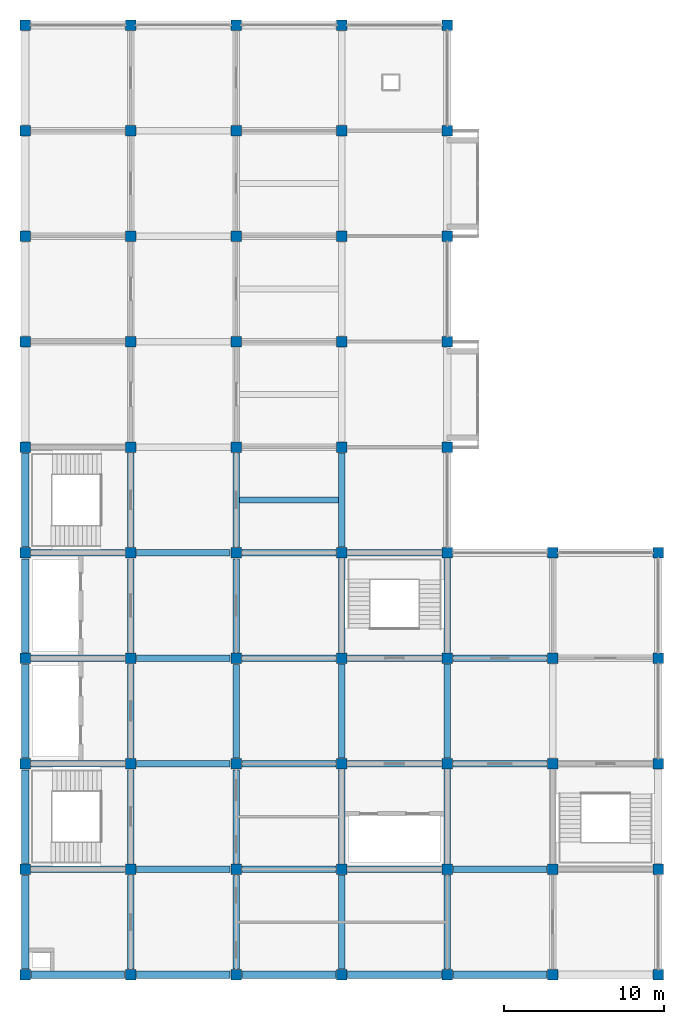
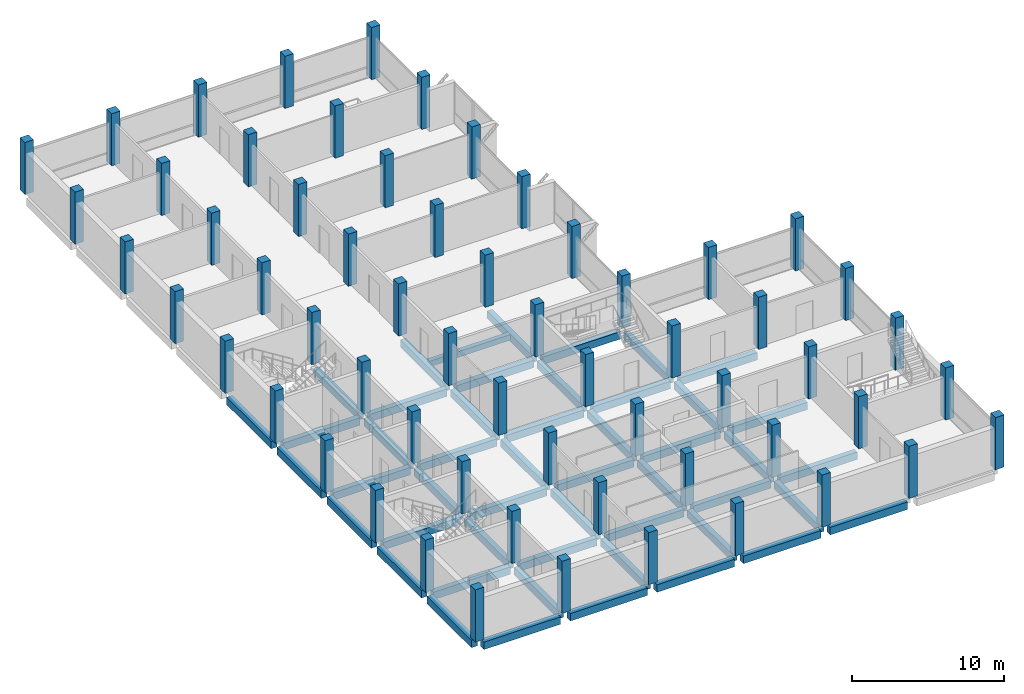
# One storey, part 1 of 10: 60 columns, 49 beams.
"""IFC4 building model written with IfcOpenShell, lengths in metres."""

from ifc_helpers import new_model, si_unit, direction, frame, origin, origin_2d, place, context, subcontext, project, spatial, rectangle, extrude, material, material_profile, profile_set, type_object, element, save


model = new_model("IFC4")

# Units and contexts
model_context = context("Model", 3, precision=1e-05, world=origin(), true_north=direction((0.0, 1.0)))
body_context = subcontext(model_context, "Body", "Model", "MODEL_VIEW")
ifc_project = project(units=[si_unit("LENGTHUNIT", "METRE"), si_unit("AREAUNIT", "SQUARE_METRE"), si_unit("VOLUMEUNIT", "CUBIC_METRE"), si_unit("PLANEANGLEUNIT", "RADIAN"), si_unit("MASSUNIT", "GRAM", prefix="KILO")], contexts=[model_context])

# Site, building, storey
site_placement = place(None, origin())
site = spatial("IfcSite", under=ifc_project, at=site_placement, CompositionType="ELEMENT")
building_placement = place(site_placement, origin())
building = spatial("IfcBuilding", under=site, at=building_placement, Name="Rusizi Kubbe Research Institute", CompositionType="ELEMENT")
storey_placement = place(building_placement, frame((0.0, 0.0, 52.199951171875)))
storey = spatial("IfcBuildingStorey", under=building, at=storey_placement, Name="L12", CompositionType="ELEMENT", Elevation=52.199951171875)

# Columns
ifc_material_1 = material(Name="Concrete C40/50", Category="concrete")
ifc_material_profile_1 = material_profile(ifc_material_1, rectangle(XDim=0.64990234375, YDim=0.64990234375, at=origin_2d()), Name="RC650x650")
ifc_profile_set_1 = profile_set([ifc_material_profile_1], Name="Concrete C40/50")
column_type = type_object("IfcColumnType", Name="COL-650", PredefinedType="COLUMN", material=ifc_profile_set_1)
for number, where, z_axis, x_axis, name in (
    (1, (0.0, 0.0, 0.0), (0.0, 0.0, 1.0), (1.0, 0.0, 0.0), "Column 1A L12"),
    (2, (0.0, 6.60009765625, 0.0), (0.0, 0.0, 1.0), (1.0, 0.0, 0.0), "Column 1B L12"),
    (3, (0.0, 13.199951171875, 0.0), (0.0, 0.0, 1.0), (1.0, 0.0, 0.0), "Column 1C L12"),
    (4, (0.0, 19.800048828125, 0.0), (0.0, 0.0, 1.0), (1.0, 0.0, 0.0), "Column 1D L12"),
    (5, (0.0, 26.39990234375, 0.0), (0.0, 0.0, 1.0), (1.0, 0.0, 0.0), "Column 1E L12"),
    (6, (0.0, 33.0, 0.0), (0.0, 0.0, 1.0), (1.0, 0.0, 0.0), "Column 1F L12"),
    (7, (0.0, 39.60009765625, 0.0), (0.0, 0.0, 1.0), (1.0, 0.0, 0.0), "Column 1G L12"),
    (8, (0.0, 46.199951171875, 0.0), (0.0, 0.0, 1.0), (1.0, 0.0, 0.0), "Column 1H L12"),
    (9, (0.0, 52.800048828125, 0.0), (0.0, 0.0, 1.0), (1.0, 0.0, 0.0), "Column 1J L12"),
    (10, (0.0, 59.39990234375, 0.0), (0.0, 0.0, 1.0), (1.0, 0.0, 0.0), "Column 1K L12"),
    (11, (6.60009765625, 0.0, 0.0), (0.0, 0.0, 1.0), (1.0, 0.0, 0.0), "Column 2A L12"),
    (12, (6.60009765625, 6.60009765625, 0.0), (0.0, 0.0, 1.0), (1.0, 0.0, 0.0), "Column 2B L12"),
    (13, (6.60009765625, 13.199951171875, 0.0), (0.0, 0.0, 1.0), (1.0, 0.0, 0.0), "Column 2C L12"),
    (14, (6.60009765625, 19.800048828125, 0.0), (0.0, 0.0, 1.0), (1.0, 0.0, 0.0), "Column 2D L12"),
    (15, (6.60009765625, 26.39990234375, 0.0), (0.0, 0.0, 1.0), (1.0, 0.0, 0.0), "Column 2E L12"),
    (16, (6.60009765625, 33.0, 0.0), (0.0, 0.0, 1.0), (1.0, 0.0, 0.0), "Column 2F L12"),
    (17, (6.60009765625, 39.60009765625, 0.0), (0.0, 0.0, 1.0), (1.0, 0.0, 0.0), "Column 2G L12"),
    (18, (6.60009765625, 46.199951171875, 0.0), (0.0, 0.0, 1.0), (1.0, 0.0, 0.0), "Column 2H L12"),
    (19, (6.60009765625, 52.800048828125, 0.0), (0.0, 0.0, 1.0), (1.0, 0.0, 0.0), "Column 2J L12"),
    (20, (6.60009765625, 59.39990234375, 0.0), (0.0, 0.0, 1.0), (1.0, 0.0, 0.0), "Column 2K L12"),
    (21, (13.199951171875, 0.0, 0.0), (0.0, 0.0, 1.0), (1.0, 0.0, 0.0), "Column 3A L12"),
    (22, (13.199951171875, 6.60009765625, 0.0), (0.0, 0.0, 1.0), (1.0, 0.0, 0.0), "Column 3B L12"),
    (23, (13.199951171875, 13.199951171875, 0.0), (0.0, 0.0, 1.0), (1.0, 0.0, 0.0), "Column 3C L12"),
    (24, (13.199951171875, 19.800048828125, 0.0), (0.0, 0.0, 1.0), (1.0, 0.0, 0.0), "Column 3D L12"),
    (25, (13.199951171875, 26.39990234375, 0.0), (0.0, 0.0, 1.0), (1.0, 0.0, 0.0), "Column 3E L12"),
    (26, (13.199951171875, 33.0, 0.0), (0.0, 0.0, 1.0), (1.0, 0.0, 0.0), "Column 3F L12"),
    (27, (13.199951171875, 39.60009765625, 0.0), (0.0, 0.0, 1.0), (1.0, 0.0, 0.0), "Column 3G L12"),
    (28, (13.199951171875, 46.199951171875, 0.0), (0.0, 0.0, 1.0), (1.0, 0.0, 0.0), "Column 3H L12"),
    (29, (13.199951171875, 52.800048828125, 0.0), (0.0, 0.0, 1.0), (1.0, 0.0, 0.0), "Column 3J L12"),
    (30, (13.199951171875, 59.39990234375, 0.0), (0.0, 0.0, 1.0), (1.0, 0.0, 0.0), "Column 3K L12"),
    (31, (19.800048828125, 0.0, 0.0), (0.0, 0.0, 1.0), (1.0, 0.0, 0.0), "Column 4A L12"),
    (32, (19.800048828125, 6.60009765625, 0.0), (0.0, 0.0, 1.0), (1.0, 0.0, 0.0), "Column 4B L12"),
    (33, (19.800048828125, 13.199951171875, 0.0), (0.0, 0.0, 1.0), (1.0, 0.0, 0.0), "Column 4C L12"),
    (34, (19.800048828125, 19.800048828125, 0.0), (0.0, 0.0, 1.0), (1.0, 0.0, 0.0), "Column 4D L12"),
    (35, (19.800048828125, 26.39990234375, 0.0), (0.0, 0.0, 1.0), (1.0, 0.0, 0.0), "Column 4E L12"),
    (36, (19.800048828125, 33.0, 0.0), (0.0, 0.0, 1.0), (1.0, 0.0, 0.0), "Column 4F L12"),
    (37, (19.800048828125, 39.60009765625, 0.0), (0.0, 0.0, 1.0), (1.0, 0.0, 0.0), "Column 4G L12"),
    (38, (19.800048828125, 46.199951171875, 0.0), (0.0, 0.0, 1.0), (1.0, 0.0, 0.0), "Column 4H L12"),
    (39, (19.800048828125, 52.800048828125, 0.0), (0.0, 0.0, 1.0), (1.0, 0.0, 0.0), "Column 4J L12"),
    (40, (19.800048828125, 59.39990234375, 0.0), (0.0, 0.0, 1.0), (1.0, 0.0, 0.0), "Column 4K L12"),
    (41, (26.39990234375, 0.0, 0.0), (0.0, 0.0, 1.0), (1.0, 0.0, 0.0), "Column 5A L12"),
    (42, (26.39990234375, 6.60009765625, 0.0), (0.0, 0.0, 1.0), (1.0, 0.0, 0.0), "Column 5B L12"),
    (43, (26.39990234375, 13.199951171875, 0.0), (0.0, 0.0, 1.0), (1.0, 0.0, 0.0), "Column 5C L12"),
    (44, (26.39990234375, 19.800048828125, 0.0), (0.0, 0.0, 1.0), (1.0, 0.0, 0.0), "Column 5D L12"),
    (45, (26.39990234375, 26.39990234375, 0.0), (0.0, 0.0, 1.0), (1.0, 0.0, 0.0), "Column 5E L12"),
    (46, (26.39990234375, 33.0, 0.0), (0.0, 0.0, 1.0), (1.0, 0.0, 0.0), "Column 5F L12"),
    (47, (26.39990234375, 39.60009765625, 0.0), (0.0, 0.0, 1.0), (1.0, 0.0, 0.0), "Column 5G L12"),
    (48, (26.39990234375, 46.199951171875, 0.0), (0.0, 0.0, 1.0), (1.0, 0.0, 0.0), "Column 5H L12"),
    (49, (26.39990234375, 52.800048828125, 0.0), (0.0, 0.0, 1.0), (1.0, 0.0, 0.0), "Column 5J L12"),
    (50, (26.39990234375, 59.39990234375, 0.0), (0.0, 0.0, 1.0), (1.0, 0.0, 0.0), "Column 5K L12"),
    (51, (33.0, 0.0, 0.0), (0.0, 0.0, 1.0), (1.0, 0.0, 0.0), "Column 6A L12"),
    (52, (33.0, 6.60009765625, 0.0), (0.0, 0.0, 1.0), (1.0, 0.0, 0.0), "Column 6B L12"),
    (53, (33.0, 13.199951171875, 0.0), (0.0, 0.0, 1.0), (1.0, 0.0, 0.0), "Column 6C L12"),
    (54, (33.0, 19.800048828125, 0.0), (0.0, 0.0, 1.0), (1.0, 0.0, 0.0), "Column 6D L12"),
    (55, (33.0, 26.39990234375, 0.0), (0.0, 0.0, 1.0), (1.0, 0.0, 0.0), "Column 6E L12"),
    (56, (39.60009765625, 0.0, 0.0), (0.0, 0.0, 1.0), (1.0, 0.0, 0.0), "Column 7A L12"),
    (57, (39.60009765625, 6.60009765625, 0.0), (0.0, 0.0, 1.0), (1.0, 0.0, 0.0), "Column 7B L12"),
    (58, (39.60009765625, 13.199951171875, 0.0), (0.0, 0.0, 1.0), (1.0, 0.0, 0.0), "Column 7C L12"),
    (59, (39.60009765625, 19.800048828125, 0.0), (0.0, 0.0, 1.0), (1.0, 0.0, 0.0), "Column 7D L12"),
    (60, (39.60009765625, 26.39990234375, 0.0), (0.0, 0.0, 1.0), (1.0, 0.0, 0.0), "Column 7E L12"),
):
    element("IfcColumn", number, at=place(storey_placement, frame(where, z_axis=z_axis, x_axis=x_axis)), inside=storey, type_object=column_type, Name=name, PredefinedType="COLUMN", context=body_context, shape_type="SweptSolid", body=[
        extrude(rectangle(XDim=0.64990234375, YDim=0.64990234375, at=origin_2d()), origin(), (0.0, 0.0, 1.0), 4.199951171875),
    ])

# Beams
ifc_material_2 = material(Name="Concrete C40/50", Category="concrete")
ifc_material_profile_2 = material_profile(ifc_material_2, rectangle(XDim=0.35009765625, YDim=0.449951171875, at=origin_2d()), Name="RC350x450")
ifc_profile_set_2 = profile_set([ifc_material_profile_2], Name="Concrete C40/50")
beam_type_1 = type_object("IfcBeamType", Name="BM-RC350x450", PredefinedType="JOIST", material=ifc_profile_set_2)
beam_1_placement = place(storey_placement, frame((13.39990234375, 29.699951171875, -0.534912109375), z_axis=(1.0, 0.0, 0.0), x_axis=(0.0, 1.0, 0.0)))
element("IfcBeam", 61, at=beam_1_placement, inside=storey, type_object=beam_type_1, Name="Lab Stiffener Joist L12 (2,4)", PredefinedType="JOIST", context=body_context, shape_type="SweptSolid", body=[
    extrude(rectangle(XDim=0.35009765625, YDim=0.449951171875, at=origin_2d()), origin(), (0.0, 0.0, 1.0), 6.2001953125),
])
ifc_material_3 = material(Name="Concrete C40/50", Category="concrete")
ifc_material_profile_3 = material_profile(ifc_material_3, rectangle(XDim=0.39990234375, YDim=0.60009765625, at=origin_2d()), Name="RC400x600")
ifc_profile_set_3 = profile_set([ifc_material_profile_3], Name="Concrete C40/50")
beam_type_2 = type_object("IfcBeamType", Name="BM-RC400x600", PredefinedType="BEAM", material=ifc_profile_set_3)
for number, where, z_axis, x_axis, name in (
    (62, (0.375, 6.60009765625, -0.60986328125), (1.0, 0.0, 0.0), (0.0, 1.0, 0.0), "Grid Beam H L12 (0,1)"),
    (63, (0.375, 13.199951171875, -0.60986328125), (1.0, 0.0, 0.0), (0.0, 1.0, 0.0), "Grid Beam H L12 (0,2)"),
    (64, (0.375, 19.800048828125, -0.60986328125), (1.0, 0.0, 0.0), (0.0, 1.0, 0.0), "Grid Beam H L12 (0,3)"),
    (65, (0.375, 26.39990234375, -0.60986328125), (1.0, 0.0, 0.0), (0.0, 1.0, 0.0), "Grid Beam H L12 (0,4)"),
):
    element("IfcBeam", number, at=place(storey_placement, frame(where, z_axis=z_axis, x_axis=x_axis)), inside=storey, type_object=beam_type_2, Name=name, PredefinedType="BEAM", context=body_context, shape_type="SweptSolid", body=[
        extrude(rectangle(XDim=0.39990234375, YDim=0.60009765625, at=origin_2d()), origin(), (0.0, 0.0, 1.0), 5.85009765625),
    ])
for number, where, z_axis, x_axis, name in (
    (66, (6.97509765625, 6.60009765625, -0.60986328125), (1.0, 0.0, 0.0), (0.0, 1.0, 0.0), "Grid Beam H L12 (1,1)"),
    (67, (6.97509765625, 13.199951171875, -0.60986328125), (1.0, 0.0, 0.0), (0.0, 1.0, 0.0), "Grid Beam H L12 (1,2)"),
    (68, (6.97509765625, 19.800048828125, -0.60986328125), (1.0, 0.0, 0.0), (0.0, 1.0, 0.0), "Grid Beam H L12 (1,3)"),
    (69, (6.97509765625, 26.39990234375, -0.60986328125), (1.0, 0.0, 0.0), (0.0, 1.0, 0.0), "Grid Beam H L12 (1,4)"),
):
    element("IfcBeam", number, at=place(storey_placement, frame(where, z_axis=z_axis, x_axis=x_axis)), inside=storey, type_object=beam_type_2, Name=name, PredefinedType="BEAM", context=body_context, shape_type="SweptSolid", body=[
        extrude(rectangle(XDim=0.39990234375, YDim=0.60009765625, at=origin_2d()), origin(), (0.0, 0.0, 1.0), 5.849853515625),
    ])
for number, where, z_axis, x_axis, name in (
    (70, (13.574951171875, 6.60009765625, -0.60986328125), (1.0, 0.0, 0.0), (0.0, 1.0, 0.0), "Grid Beam H L12 (2,1)"),
    (71, (13.574951171875, 13.199951171875, -0.60986328125), (1.0, 0.0, 0.0), (0.0, 1.0, 0.0), "Grid Beam H L12 (2,2)"),
    (72, (13.574951171875, 19.800048828125, -0.60986328125), (1.0, 0.0, 0.0), (0.0, 1.0, 0.0), "Grid Beam H L12 (2,3)"),
    (73, (13.574951171875, 26.39990234375, -0.60986328125), (1.0, 0.0, 0.0), (0.0, 1.0, 0.0), "Grid Beam H L12 (2,4)"),
):
    element("IfcBeam", number, at=place(storey_placement, frame(where, z_axis=z_axis, x_axis=x_axis)), inside=storey, type_object=beam_type_2, Name=name, PredefinedType="BEAM", context=body_context, shape_type="SweptSolid", body=[
        extrude(rectangle(XDim=0.39990234375, YDim=0.60009765625, at=origin_2d()), origin(), (0.0, 0.0, 1.0), 5.875),
    ])
for number, where, z_axis, x_axis, name in (
    (74, (20.14990234375, 6.60009765625, -0.60986328125), (1.0, 0.0, 0.0), (0.0, 1.0, 0.0), "Grid Beam H L12 (3,1)"),
    (75, (20.14990234375, 13.199951171875, -0.60986328125), (1.0, 0.0, 0.0), (0.0, 1.0, 0.0), "Grid Beam H L12 (3,2)"),
    (76, (20.14990234375, 19.800048828125, -0.60986328125), (1.0, 0.0, 0.0), (0.0, 1.0, 0.0), "Grid Beam H L12 (3,3)"),
    (77, (20.14990234375, 26.39990234375, -0.60986328125), (1.0, 0.0, 0.0), (0.0, 1.0, 0.0), "Grid Beam H L12 (3,4)"),
):
    element("IfcBeam", number, at=place(storey_placement, frame(where, z_axis=z_axis, x_axis=x_axis)), inside=storey, type_object=beam_type_2, Name=name, PredefinedType="BEAM", context=body_context, shape_type="SweptSolid", body=[
        extrude(rectangle(XDim=0.39990234375, YDim=0.60009765625, at=origin_2d()), origin(), (0.0, 0.0, 1.0), 5.900146484375),
    ])
for number, where, z_axis, x_axis, name in (
    (78, (26.75, 6.60009765625, -0.60986328125), (1.0, 0.0, 0.0), (0.0, 1.0, 0.0), "Grid Beam H L12 (4,1)"),
    (79, (26.75, 13.199951171875, -0.60986328125), (1.0, 0.0, 0.0), (0.0, 1.0, 0.0), "Grid Beam H L12 (4,2)"),
    (80, (26.75, 19.800048828125, -0.60986328125), (1.0, 0.0, 0.0), (0.0, 1.0, 0.0), "Grid Beam H L12 (4,3)"),
):
    element("IfcBeam", number, at=place(storey_placement, frame(where, z_axis=z_axis, x_axis=x_axis)), inside=storey, type_object=beam_type_2, Name=name, PredefinedType="BEAM", context=body_context, shape_type="SweptSolid", body=[
        extrude(rectangle(XDim=0.39990234375, YDim=0.60009765625, at=origin_2d()), origin(), (0.0, 0.0, 1.0), 5.89990234375),
    ])
beam_2_placement = place(storey_placement, frame((6.60009765625, 0.375, -0.60986328125), z_axis=(0.0, 1.0, 0.0), x_axis=(-1.0, 0.0, 0.0)))
element("IfcBeam", 81, at=beam_2_placement, inside=storey, type_object=beam_type_2, Name="Grid Beam V L12 (1,0)", PredefinedType="BEAM", context=body_context, shape_type="SweptSolid", body=[
    extrude(rectangle(XDim=0.39990234375, YDim=0.60009765625, at=origin_2d()), origin(), (0.0, 0.0, 1.0), 5.85009765625),
])
beam_3_placement = place(storey_placement, frame((6.60009765625, 6.97509765625, -0.60986328125), z_axis=(0.0, 1.0, 0.0), x_axis=(-1.0, 0.0, 0.0)))
element("IfcBeam", 82, at=beam_3_placement, inside=storey, type_object=beam_type_2, Name="Grid Beam V L12 (1,1)", PredefinedType="BEAM", context=body_context, shape_type="SweptSolid", body=[
    extrude(rectangle(XDim=0.39990234375, YDim=0.60009765625, at=origin_2d()), origin(), (0.0, 0.0, 1.0), 5.849853515625),
])
beam_4_placement = place(storey_placement, frame((6.60009765625, 13.574951171875, -0.60986328125), z_axis=(0.0, 1.0, 0.0), x_axis=(-1.0, 0.0, 0.0)))
element("IfcBeam", 83, at=beam_4_placement, inside=storey, type_object=beam_type_2, Name="Grid Beam V L12 (1,2)", PredefinedType="BEAM", context=body_context, shape_type="SweptSolid", body=[
    extrude(rectangle(XDim=0.39990234375, YDim=0.60009765625, at=origin_2d()), origin(), (0.0, 0.0, 1.0), 5.85009765625),
])
beam_5_placement = place(storey_placement, frame((6.60009765625, 20.175048828125, -0.60986328125), z_axis=(0.0, 1.0, 0.0), x_axis=(-1.0, 0.0, 0.0)))
element("IfcBeam", 84, at=beam_5_placement, inside=storey, type_object=beam_type_2, Name="Grid Beam V L12 (1,3)", PredefinedType="BEAM", context=body_context, shape_type="SweptSolid", body=[
    extrude(rectangle(XDim=0.39990234375, YDim=0.60009765625, at=origin_2d()), origin(), (0.0, 0.0, 1.0), 5.849853515625),
])
beam_6_placement = place(storey_placement, frame((6.60009765625, 26.77490234375, -0.60986328125), z_axis=(0.0, 1.0, 0.0), x_axis=(-1.0, 0.0, 0.0)))
element("IfcBeam", 85, at=beam_6_placement, inside=storey, type_object=beam_type_2, Name="Grid Beam V L12 (1,4)", PredefinedType="BEAM", context=body_context, shape_type="SweptSolid", body=[
    extrude(rectangle(XDim=0.39990234375, YDim=0.60009765625, at=origin_2d()), origin(), (0.0, 0.0, 1.0), 5.875),
])
beam_7_placement = place(storey_placement, frame((13.199951171875, 0.375, -0.60986328125), z_axis=(0.0, 1.0, 0.0), x_axis=(-1.0, 0.0, 0.0)))
element("IfcBeam", 86, at=beam_7_placement, inside=storey, type_object=beam_type_2, Name="Grid Beam V L12 (2,0)", PredefinedType="BEAM", context=body_context, shape_type="SweptSolid", body=[
    extrude(rectangle(XDim=0.39990234375, YDim=0.60009765625, at=origin_2d()), origin(), (0.0, 0.0, 1.0), 5.85009765625),
])
beam_8_placement = place(storey_placement, frame((13.199951171875, 6.97509765625, -0.60986328125), z_axis=(0.0, 1.0, 0.0), x_axis=(-1.0, 0.0, 0.0)))
element("IfcBeam", 87, at=beam_8_placement, inside=storey, type_object=beam_type_2, Name="Grid Beam V L12 (2,1)", PredefinedType="BEAM", context=body_context, shape_type="SweptSolid", body=[
    extrude(rectangle(XDim=0.39990234375, YDim=0.60009765625, at=origin_2d()), origin(), (0.0, 0.0, 1.0), 5.849853515625),
])
beam_9_placement = place(storey_placement, frame((13.199951171875, 13.574951171875, -0.60986328125), z_axis=(0.0, 1.0, 0.0), x_axis=(-1.0, 0.0, 0.0)))
element("IfcBeam", 88, at=beam_9_placement, inside=storey, type_object=beam_type_2, Name="Grid Beam V L12 (2,2)", PredefinedType="BEAM", context=body_context, shape_type="SweptSolid", body=[
    extrude(rectangle(XDim=0.39990234375, YDim=0.60009765625, at=origin_2d()), origin(), (0.0, 0.0, 1.0), 5.85009765625),
])
beam_10_placement = place(storey_placement, frame((13.199951171875, 20.175048828125, -0.60986328125), z_axis=(0.0, 1.0, 0.0), x_axis=(-1.0, 0.0, 0.0)))
element("IfcBeam", 89, at=beam_10_placement, inside=storey, type_object=beam_type_2, Name="Grid Beam V L12 (2,3)", PredefinedType="BEAM", context=body_context, shape_type="SweptSolid", body=[
    extrude(rectangle(XDim=0.39990234375, YDim=0.60009765625, at=origin_2d()), origin(), (0.0, 0.0, 1.0), 5.849853515625),
])
beam_11_placement = place(storey_placement, frame((13.199951171875, 26.77490234375, -0.60986328125), z_axis=(0.0, 1.0, 0.0), x_axis=(-1.0, 0.0, 0.0)))
element("IfcBeam", 90, at=beam_11_placement, inside=storey, type_object=beam_type_2, Name="Grid Beam V L12 (2,4)", PredefinedType="BEAM", context=body_context, shape_type="SweptSolid", body=[
    extrude(rectangle(XDim=0.39990234375, YDim=0.60009765625, at=origin_2d()), origin(), (0.0, 0.0, 1.0), 5.875),
])
beam_12_placement = place(storey_placement, frame((19.800048828125, 0.35009765625, -0.60986328125), z_axis=(0.0, 1.0, 0.0), x_axis=(-1.0, 0.0, 0.0)))
element("IfcBeam", 91, at=beam_12_placement, inside=storey, type_object=beam_type_2, Name="Grid Beam V L12 (3,0)", PredefinedType="BEAM", context=body_context, shape_type="SweptSolid", body=[
    extrude(rectangle(XDim=0.39990234375, YDim=0.60009765625, at=origin_2d()), origin(), (0.0, 0.0, 1.0), 5.89990234375),
])
beam_13_placement = place(storey_placement, frame((19.800048828125, 6.949951171875, -0.60986328125), z_axis=(0.0, 1.0, 0.0), x_axis=(-1.0, 0.0, 0.0)))
element("IfcBeam", 92, at=beam_13_placement, inside=storey, type_object=beam_type_2, Name="Grid Beam V L12 (3,1)", PredefinedType="BEAM", context=body_context, shape_type="SweptSolid", body=[
    extrude(rectangle(XDim=0.39990234375, YDim=0.60009765625, at=origin_2d()), origin(), (0.0, 0.0, 1.0), 5.900146484375),
])
beam_14_placement = place(storey_placement, frame((19.800048828125, 13.550048828125, -0.60986328125), z_axis=(0.0, 1.0, 0.0), x_axis=(-1.0, 0.0, 0.0)))
element("IfcBeam", 93, at=beam_14_placement, inside=storey, type_object=beam_type_2, Name="Grid Beam V L12 (3,2)", PredefinedType="BEAM", context=body_context, shape_type="SweptSolid", body=[
    extrude(rectangle(XDim=0.39990234375, YDim=0.60009765625, at=origin_2d()), origin(), (0.0, 0.0, 1.0), 5.89990234375),
])
beam_15_placement = place(storey_placement, frame((19.800048828125, 20.14990234375, -0.60986328125), z_axis=(0.0, 1.0, 0.0), x_axis=(-1.0, 0.0, 0.0)))
element("IfcBeam", 94, at=beam_15_placement, inside=storey, type_object=beam_type_2, Name="Grid Beam V L12 (3,3)", PredefinedType="BEAM", context=body_context, shape_type="SweptSolid", body=[
    extrude(rectangle(XDim=0.39990234375, YDim=0.60009765625, at=origin_2d()), origin(), (0.0, 0.0, 1.0), 5.900146484375),
])
for number, where, z_axis, x_axis, name in (
    (95, (19.800048828125, 26.75, -0.60986328125), (0.0, 1.0, 0.0), (-1.0, 0.0, 0.0), "Grid Beam V L12 (3,4)"),
    (96, (26.39990234375, 0.35009765625, -0.60986328125), (0.0, 1.0, 0.0), (-1.0, 0.0, 0.0), "Grid Beam V L12 (4,0)"),
):
    element("IfcBeam", number, at=place(storey_placement, frame(where, z_axis=z_axis, x_axis=x_axis)), inside=storey, type_object=beam_type_2, Name=name, PredefinedType="BEAM", context=body_context, shape_type="SweptSolid", body=[
        extrude(rectangle(XDim=0.39990234375, YDim=0.60009765625, at=origin_2d()), origin(), (0.0, 0.0, 1.0), 5.89990234375),
    ])
beam_16_placement = place(storey_placement, frame((26.39990234375, 6.949951171875, -0.60986328125), z_axis=(0.0, 1.0, 0.0), x_axis=(-1.0, 0.0, 0.0)))
element("IfcBeam", 97, at=beam_16_placement, inside=storey, type_object=beam_type_2, Name="Grid Beam V L12 (4,1)", PredefinedType="BEAM", context=body_context, shape_type="SweptSolid", body=[
    extrude(rectangle(XDim=0.39990234375, YDim=0.60009765625, at=origin_2d()), origin(), (0.0, 0.0, 1.0), 5.900146484375),
])
beam_17_placement = place(storey_placement, frame((26.39990234375, 13.550048828125, -0.60986328125), z_axis=(0.0, 1.0, 0.0), x_axis=(-1.0, 0.0, 0.0)))
element("IfcBeam", 98, at=beam_17_placement, inside=storey, type_object=beam_type_2, Name="Grid Beam V L12 (4,2)", PredefinedType="BEAM", context=body_context, shape_type="SweptSolid", body=[
    extrude(rectangle(XDim=0.39990234375, YDim=0.60009765625, at=origin_2d()), origin(), (0.0, 0.0, 1.0), 5.89990234375),
])
beam_18_placement = place(storey_placement, frame((26.39990234375, 20.14990234375, -0.60986328125), z_axis=(0.0, 1.0, 0.0), x_axis=(-1.0, 0.0, 0.0)))
element("IfcBeam", 99, at=beam_18_placement, inside=storey, type_object=beam_type_2, Name="Grid Beam V L12 (4,3)", PredefinedType="BEAM", context=body_context, shape_type="SweptSolid", body=[
    extrude(rectangle(XDim=0.39990234375, YDim=0.60009765625, at=origin_2d()), origin(), (0.0, 0.0, 1.0), 5.900146484375),
])
ifc_material_4 = material(Name="Concrete C40/50", Category="concrete")
ifc_material_profile_4 = material_profile(ifc_material_4, rectangle(XDim=0.449951171875, YDim=0.60009765625, at=origin_2d()), Name="RC450x600")
ifc_profile_set_4 = profile_set([ifc_material_profile_4], Name="Concrete C40/50")
beam_type_3 = type_object("IfcBeamType", Name="BM-RC450x600", PredefinedType="SPANDREL", material=ifc_profile_set_4)
beam_19_placement = place(storey_placement, frame((0.375, 0.0, -0.60986328125), z_axis=(1.0, 0.0, 0.0), x_axis=(0.0, 1.0, 0.0)))
element("IfcBeam", 100, at=beam_19_placement, inside=storey, type_object=beam_type_3, Name="Grid Beam H L12 (0,0)", PredefinedType="SPANDREL", context=body_context, shape_type="SweptSolid", body=[
    extrude(rectangle(XDim=0.449951171875, YDim=0.60009765625, at=origin_2d()), origin(), (0.0, 0.0, 1.0), 5.85009765625),
])
beam_20_placement = place(storey_placement, frame((6.97509765625, 0.0, -0.60986328125), z_axis=(1.0, 0.0, 0.0), x_axis=(0.0, 1.0, 0.0)))
element("IfcBeam", 101, at=beam_20_placement, inside=storey, type_object=beam_type_3, Name="Grid Beam H L12 (1,0)", PredefinedType="SPANDREL", context=body_context, shape_type="SweptSolid", body=[
    extrude(rectangle(XDim=0.449951171875, YDim=0.60009765625, at=origin_2d()), origin(), (0.0, 0.0, 1.0), 5.849853515625),
])
beam_21_placement = place(storey_placement, frame((13.574951171875, 0.0, -0.60986328125), z_axis=(1.0, 0.0, 0.0), x_axis=(0.0, 1.0, 0.0)))
element("IfcBeam", 102, at=beam_21_placement, inside=storey, type_object=beam_type_3, Name="Grid Beam H L12 (2,0)", PredefinedType="SPANDREL", context=body_context, shape_type="SweptSolid", body=[
    extrude(rectangle(XDim=0.449951171875, YDim=0.60009765625, at=origin_2d()), origin(), (0.0, 0.0, 1.0), 5.875),
])
beam_22_placement = place(storey_placement, frame((20.14990234375, 0.0, -0.60986328125), z_axis=(1.0, 0.0, 0.0), x_axis=(0.0, 1.0, 0.0)))
element("IfcBeam", 103, at=beam_22_placement, inside=storey, type_object=beam_type_3, Name="Grid Beam H L12 (3,0)", PredefinedType="SPANDREL", context=body_context, shape_type="SweptSolid", body=[
    extrude(rectangle(XDim=0.449951171875, YDim=0.60009765625, at=origin_2d()), origin(), (0.0, 0.0, 1.0), 5.900146484375),
])
beam_23_placement = place(storey_placement, frame((26.75, 0.0, -0.60986328125), z_axis=(1.0, 0.0, 0.0), x_axis=(0.0, 1.0, 0.0)))
element("IfcBeam", 104, at=beam_23_placement, inside=storey, type_object=beam_type_3, Name="Grid Beam H L12 (4,0)", PredefinedType="SPANDREL", context=body_context, shape_type="SweptSolid", body=[
    extrude(rectangle(XDim=0.449951171875, YDim=0.60009765625, at=origin_2d()), origin(), (0.0, 0.0, 1.0), 5.89990234375),
])
beam_24_placement = place(storey_placement, frame((0.0, 0.375, -0.60986328125), z_axis=(0.0, 1.0, 0.0), x_axis=(-1.0, 0.0, 0.0)))
element("IfcBeam", 105, at=beam_24_placement, inside=storey, type_object=beam_type_3, Name="Grid Beam V L12 (0,0)", PredefinedType="SPANDREL", context=body_context, shape_type="SweptSolid", body=[
    extrude(rectangle(XDim=0.449951171875, YDim=0.60009765625, at=origin_2d()), origin(), (0.0, 0.0, 1.0), 5.85009765625),
])
beam_25_placement = place(storey_placement, frame((0.0, 6.97509765625, -0.60986328125), z_axis=(0.0, 1.0, 0.0), x_axis=(-1.0, 0.0, 0.0)))
element("IfcBeam", 106, at=beam_25_placement, inside=storey, type_object=beam_type_3, Name="Grid Beam V L12 (0,1)", PredefinedType="SPANDREL", context=body_context, shape_type="SweptSolid", body=[
    extrude(rectangle(XDim=0.449951171875, YDim=0.60009765625, at=origin_2d()), origin(), (0.0, 0.0, 1.0), 5.849853515625),
])
beam_26_placement = place(storey_placement, frame((0.0, 13.574951171875, -0.60986328125), z_axis=(0.0, 1.0, 0.0), x_axis=(-1.0, 0.0, 0.0)))
element("IfcBeam", 107, at=beam_26_placement, inside=storey, type_object=beam_type_3, Name="Grid Beam V L12 (0,2)", PredefinedType="SPANDREL", context=body_context, shape_type="SweptSolid", body=[
    extrude(rectangle(XDim=0.449951171875, YDim=0.60009765625, at=origin_2d()), origin(), (0.0, 0.0, 1.0), 5.85009765625),
])
beam_27_placement = place(storey_placement, frame((0.0, 20.175048828125, -0.60986328125), z_axis=(0.0, 1.0, 0.0), x_axis=(-1.0, 0.0, 0.0)))
element("IfcBeam", 108, at=beam_27_placement, inside=storey, type_object=beam_type_3, Name="Grid Beam V L12 (0,3)", PredefinedType="SPANDREL", context=body_context, shape_type="SweptSolid", body=[
    extrude(rectangle(XDim=0.449951171875, YDim=0.60009765625, at=origin_2d()), origin(), (0.0, 0.0, 1.0), 5.849853515625),
])
beam_28_placement = place(storey_placement, frame((0.0, 26.77490234375, -0.60986328125), z_axis=(0.0, 1.0, 0.0), x_axis=(-1.0, 0.0, 0.0)))
element("IfcBeam", 109, at=beam_28_placement, inside=storey, type_object=beam_type_3, Name="Grid Beam V L12 (0,4)", PredefinedType="SPANDREL", context=body_context, shape_type="SweptSolid", body=[
    extrude(rectangle(XDim=0.449951171875, YDim=0.60009765625, at=origin_2d()), origin(), (0.0, 0.0, 1.0), 5.875),
])

save(model, "model.ifc")
